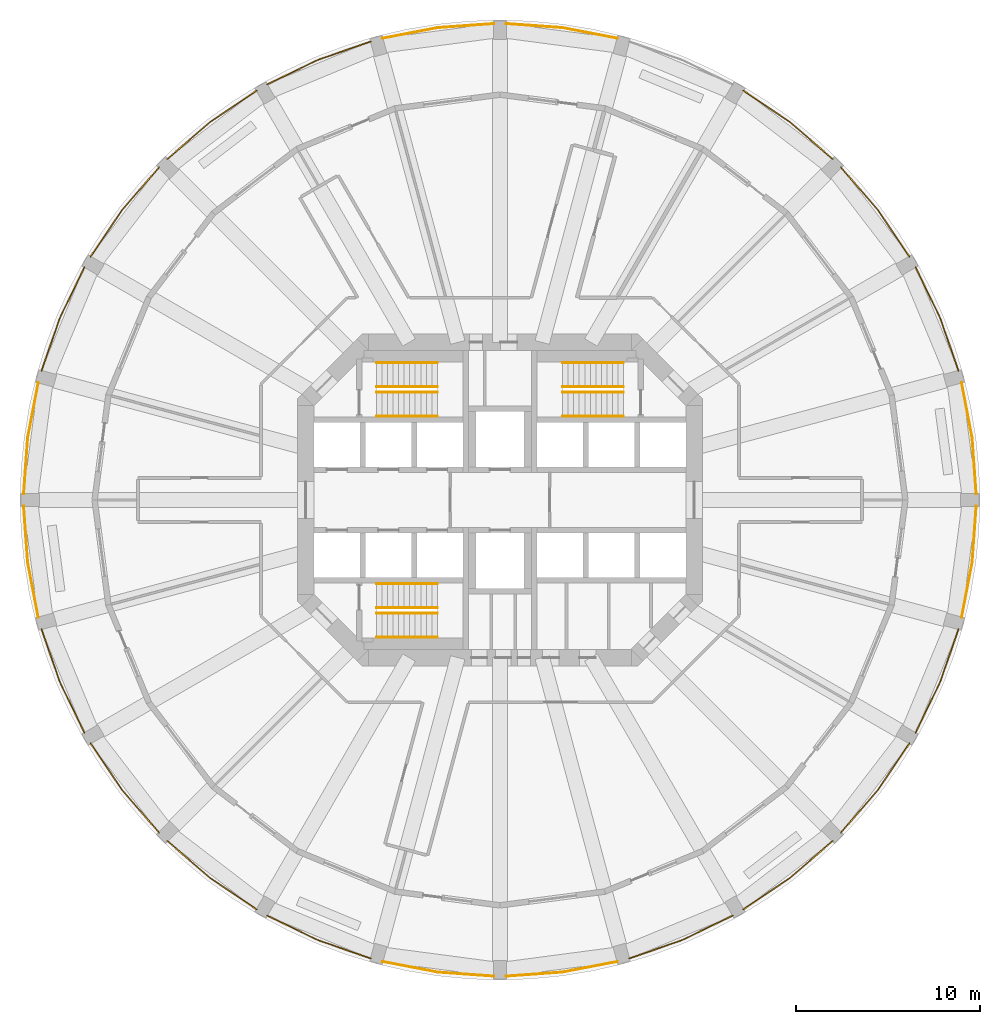
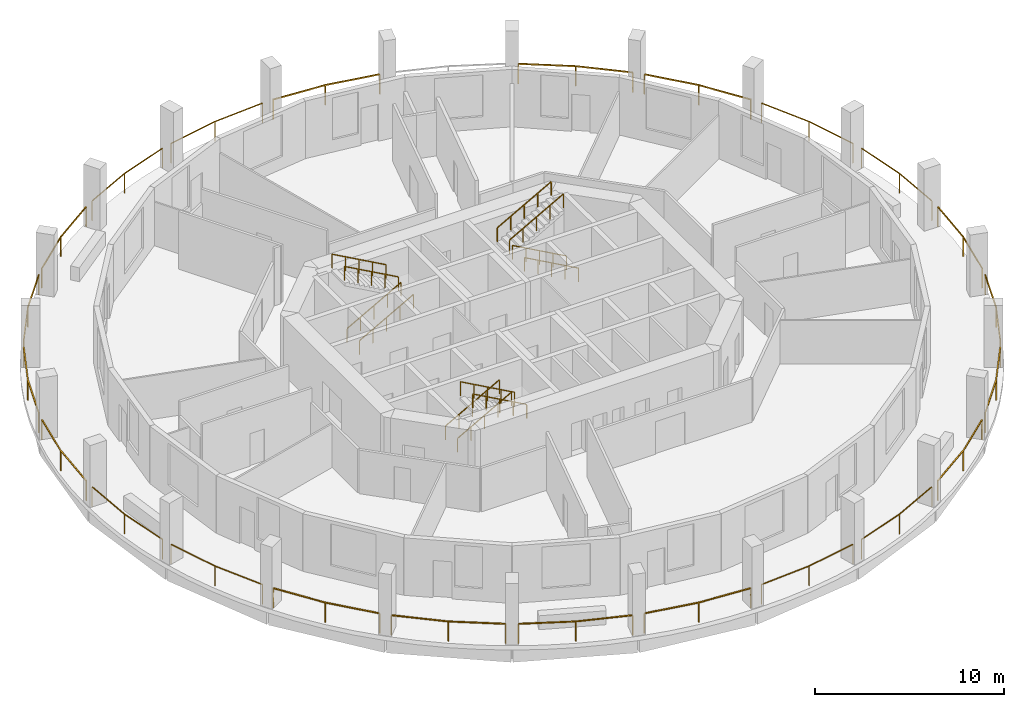
# One storey, part 8 of 9: 35 railings.
"""IFC4 building model written with IfcOpenShell, lengths in metres."""

from ifc_helpers import new_model, si_unit, direction, frame, origin, origin_2d, place, context, subcontext, project, spatial, rectangle, extrude, material, type_object, element, save


model = new_model("IFC4")

# Units and contexts
model_context = context("Model", 3, precision=1e-05, world=origin(), true_north=direction((0.0, 1.0)))
body_context = subcontext(model_context, "Body", "Model", "MODEL_VIEW")
ifc_project = project(units=[si_unit("LENGTHUNIT", "METRE"), si_unit("AREAUNIT", "SQUARE_METRE"), si_unit("VOLUMEUNIT", "CUBIC_METRE"), si_unit("PLANEANGLEUNIT", "RADIAN"), si_unit("MASSUNIT", "GRAM", prefix="KILO")], contexts=[model_context])

# Site, building, storey
site_placement = place(None, origin())
site = spatial("IfcSite", under=ifc_project, at=site_placement, CompositionType="ELEMENT")
building_placement = place(site_placement, origin())
building = spatial("IfcBuilding", under=site, at=building_placement, Name="Torre Triforio", CompositionType="ELEMENT")
storey_placement = place(building_placement, frame((0.0, 0.0, 98.60009765625)))
storey = spatial("IfcBuildingStorey", under=building, at=storey_placement, Name="L21", CompositionType="ELEMENT", Elevation=98.60009765625)

# Railings
ifc_material = material(Name="Stainless steel AISI 316", Category="steel")
railing_type_1 = type_object("IfcRailingType", Name="HANDRAIL 920", PredefinedType="HANDRAIL", material=ifc_material)
for number, where, name in (
    (1, (-6.699951171875, 4.550048828125, 0.16650390625), "Handrail ST1"),
    (2, (-6.699951171875, 5.85009765625, 0.16650390625), "Handrail ST1"),
):
    element("IfcRailing", number, at=place(storey_placement, frame(where)), inside=storey, type_object=railing_type_1, Name=name, PredefinedType="HANDRAIL", context=body_context, shape_type="SweptSolid", body=[
        extrude(rectangle(XDim=0.048095703125, YDim=0.048095703125, at=origin_2d()), frame((0.0, 0.0, 0.89599609375), z_axis=(0.874142023373, 0.0, 0.48567038511), x_axis=(0.0, 1.0, 0.0)), (0.0, 0.0, 1.0), 3.775146484375),
        extrude(rectangle(XDim=0.0419921875, YDim=0.0419921875, at=origin_2d()), origin(), (0.0, 0.0, 1.0), 0.871826171875),
        extrude(rectangle(XDim=0.0419921875, YDim=0.0419921875, at=origin_2d()), frame((0.824951171875, 0.0, 0.45849609375)), (0.0, 0.0, 1.0), 0.871826171875),
        extrude(rectangle(XDim=0.0419921875, YDim=0.0419921875, at=origin_2d()), frame((1.64990234375, 0.0, 0.916748046875)), (0.0, 0.0, 1.0), 0.871826171875),
        extrude(rectangle(XDim=0.0419921875, YDim=0.0419921875, at=origin_2d()), frame((2.47509765625, 0.0, 1.375)), (0.0, 0.0, 1.0), 0.871826171875),
        extrude(rectangle(XDim=0.0419921875, YDim=0.0419921875, at=origin_2d()), frame((3.300048828125, 0.0, 1.83349609375)), (0.0, 0.0, 1.0), 0.871826171875),
    ])
for number, where, name in (
    (3, (-3.39990234375, 7.449951171875, 2.16650390625), "Handrail ST1"),
    (4, (-3.39990234375, 6.14990234375, 2.16650390625), "Handrail ST1"),
    (5, (6.699951171875, 4.550048828125, 0.16650390625), "Handrail ST2"),
    (6, (6.699951171875, 5.85009765625, 0.16650390625), "Handrail ST2"),
):
    element("IfcRailing", number, at=place(storey_placement, frame(where)), inside=storey, type_object=railing_type_1, Name=name, PredefinedType="HANDRAIL", context=body_context, shape_type="SweptSolid", body=[
        extrude(rectangle(XDim=0.048095703125, YDim=0.048095703125, at=origin_2d()), frame((0.0, 0.0, 0.89599609375), z_axis=(-0.874142023373, 0.0, 0.48567038511), x_axis=(0.0, -1.0, 0.0)), (0.0, 0.0, 1.0), 3.775146484375),
        extrude(rectangle(XDim=0.0419921875, YDim=0.0419921875, at=origin_2d()), origin(), (0.0, 0.0, 1.0), 0.871826171875),
        extrude(rectangle(XDim=0.0419921875, YDim=0.0419921875, at=origin_2d()), frame((-0.824951171875, 0.0, 0.45849609375)), (0.0, 0.0, 1.0), 0.871826171875),
        extrude(rectangle(XDim=0.0419921875, YDim=0.0419921875, at=origin_2d()), frame((-1.64990234375, 0.0, 0.916748046875)), (0.0, 0.0, 1.0), 0.871826171875),
        extrude(rectangle(XDim=0.0419921875, YDim=0.0419921875, at=origin_2d()), frame((-2.47509765625, 0.0, 1.375)), (0.0, 0.0, 1.0), 0.871826171875),
        extrude(rectangle(XDim=0.0419921875, YDim=0.0419921875, at=origin_2d()), frame((-3.300048828125, 0.0, 1.83349609375)), (0.0, 0.0, 1.0), 0.871826171875),
    ])
for number, where, name in (
    (7, (3.39990234375, 7.449951171875, 2.16650390625), "Handrail ST2"),
    (8, (3.39990234375, 6.14990234375, 2.16650390625), "Handrail ST2"),
    (9, (-6.699951171875, -4.550048828125, 0.16650390625), "Handrail ST3"),
    (10, (-6.699951171875, -5.85009765625, 0.16650390625), "Handrail ST3"),
):
    element("IfcRailing", number, at=place(storey_placement, frame(where)), inside=storey, type_object=railing_type_1, Name=name, PredefinedType="HANDRAIL", context=body_context, shape_type="SweptSolid", body=[
        extrude(rectangle(XDim=0.048095703125, YDim=0.048095703125, at=origin_2d()), frame((0.0, 0.0, 0.89599609375), z_axis=(0.874142023373, 0.0, 0.48567038511), x_axis=(0.0, 1.0, 0.0)), (0.0, 0.0, 1.0), 3.775146484375),
        extrude(rectangle(XDim=0.0419921875, YDim=0.0419921875, at=origin_2d()), origin(), (0.0, 0.0, 1.0), 0.871826171875),
        extrude(rectangle(XDim=0.0419921875, YDim=0.0419921875, at=origin_2d()), frame((0.824951171875, 0.0, 0.45849609375)), (0.0, 0.0, 1.0), 0.871826171875),
        extrude(rectangle(XDim=0.0419921875, YDim=0.0419921875, at=origin_2d()), frame((1.64990234375, 0.0, 0.916748046875)), (0.0, 0.0, 1.0), 0.871826171875),
        extrude(rectangle(XDim=0.0419921875, YDim=0.0419921875, at=origin_2d()), frame((2.47509765625, 0.0, 1.375)), (0.0, 0.0, 1.0), 0.871826171875),
        extrude(rectangle(XDim=0.0419921875, YDim=0.0419921875, at=origin_2d()), frame((3.300048828125, 0.0, 1.83349609375)), (0.0, 0.0, 1.0), 0.871826171875),
    ])
for number, where, name in (
    (11, (-3.39990234375, -7.449951171875, 2.16650390625), "Handrail ST3"),
    (12, (-3.39990234375, -6.14990234375, 2.16650390625), "Handrail ST3"),
):
    element("IfcRailing", number, at=place(storey_placement, frame(where)), inside=storey, type_object=railing_type_1, Name=name, PredefinedType="HANDRAIL", context=body_context, shape_type="SweptSolid", body=[
        extrude(rectangle(XDim=0.048095703125, YDim=0.048095703125, at=origin_2d()), frame((0.0, 0.0, 0.89599609375), z_axis=(-0.874142023373, 0.0, 0.48567038511), x_axis=(0.0, -1.0, 0.0)), (0.0, 0.0, 1.0), 3.775146484375),
        extrude(rectangle(XDim=0.0419921875, YDim=0.0419921875, at=origin_2d()), origin(), (0.0, 0.0, 1.0), 0.871826171875),
        extrude(rectangle(XDim=0.0419921875, YDim=0.0419921875, at=origin_2d()), frame((-0.824951171875, 0.0, 0.45849609375)), (0.0, 0.0, 1.0), 0.871826171875),
        extrude(rectangle(XDim=0.0419921875, YDim=0.0419921875, at=origin_2d()), frame((-1.64990234375, 0.0, 0.916748046875)), (0.0, 0.0, 1.0), 0.871826171875),
        extrude(rectangle(XDim=0.0419921875, YDim=0.0419921875, at=origin_2d()), frame((-2.47509765625, 0.0, 1.375)), (0.0, 0.0, 1.0), 0.871826171875),
        extrude(rectangle(XDim=0.0419921875, YDim=0.0419921875, at=origin_2d()), frame((-3.300048828125, 0.0, 1.83349609375)), (0.0, 0.0, 1.0), 0.871826171875),
    ])
railing_type_2 = type_object("IfcRailingType", Name="Loggia guard 1300", PredefinedType="GUARDRAIL", material=ifc_material)
railing_1_placement = place(storey_placement, frame((25.85009765625, 0.320068359375, 0.0)))
element("IfcRailing", 13, at=railing_1_placement, inside=storey, type_object=railing_type_2, Name="Loggia guard L21 bay 01", PredefinedType="GUARDRAIL", context=body_context, shape_type="SweptSolid", body=[
    extrude(rectangle(XDim=0.050048828125, YDim=0.050048828125, at=origin_2d()), frame((0.0, 0.0, 1.27490234375), z_axis=(-0.072238625319, 0.997387377608, 0.0), x_axis=(-0.997387377608, -0.072238625319, 0.0)), (0.0, 0.0, 1.0), 3.06201171875),
    extrude(rectangle(XDim=0.050048828125, YDim=0.050048828125, at=origin_2d()), frame((-0.22119140625, 3.053955078125, 1.27490234375), z_axis=(-0.188397892972, 0.982092782747, 0.0), x_axis=(-0.982092782747, -0.188397892972, 0.0)), (0.0, 0.0, 1.0), 3.062255859375),
    extrude(rectangle(XDim=0.0400390625, YDim=0.0400390625, at=origin_2d()), origin(), (0.0, 0.0, 1.0), 1.25),
    extrude(rectangle(XDim=0.0400390625, YDim=0.0400390625, at=origin_2d()), frame((-0.22119140625, 3.053955078125, 0.0)), (0.0, 0.0, 1.0), 1.25),
    extrude(rectangle(XDim=0.0400390625, YDim=0.0400390625, at=origin_2d()), frame((-0.798095703125, 6.061279296875, 0.0)), (0.0, 0.0, 1.0), 1.25),
])
railing_2_placement = place(storey_placement, frame((24.886474609375, 6.99951171875, 0.0)))
element("IfcRailing", 14, at=railing_2_placement, inside=storey, type_object=railing_type_2, Name="Loggia guard L21 bay 02", PredefinedType="GUARDRAIL", context=body_context, shape_type="SweptSolid", body=[
    extrude(rectangle(XDim=0.050048828125, YDim=0.050048828125, at=origin_2d()), frame((0.0, 0.0, 1.27490234375), z_axis=(-0.327923737665, 0.944704198295, 0.0), x_axis=(-0.944704198295, -0.327923737665, 0.0)), (0.0, 0.0, 1.0), 3.062255859375),
    extrude(rectangle(XDim=0.050048828125, YDim=0.050048828125, at=origin_2d()), frame((-1.004150390625, 2.892822265625, 1.27490234375), z_axis=(-0.436113094806, 0.899891864914, 0.0), x_axis=(-0.899891864914, -0.436113094806, 0.0)), (0.0, 0.0, 1.0), 3.062255859375),
    extrude(rectangle(XDim=0.0400390625, YDim=0.0400390625, at=origin_2d()), origin(), (0.0, 0.0, 1.0), 1.25),
    extrude(rectangle(XDim=0.0400390625, YDim=0.0400390625, at=origin_2d()), frame((-1.004150390625, 2.892822265625, 0.0)), (0.0, 0.0, 1.0), 1.25),
    extrude(rectangle(XDim=0.0400390625, YDim=0.0400390625, at=origin_2d()), frame((-2.339599609375, 5.6484375, 0.0)), (0.0, 0.0, 1.0), 1.25),
])
railing_3_placement = place(storey_placement, frame((22.226806640625, 13.2021484375, 0.0)))
element("IfcRailing", 15, at=railing_3_placement, inside=storey, type_object=railing_type_2, Name="Loggia guard L21 bay 03", PredefinedType="GUARDRAIL", context=body_context, shape_type="SweptSolid", body=[
    extrude(rectangle(XDim=0.050048828125, YDim=0.050048828125, at=origin_2d()), frame((0.0, 0.0, 1.27490234375), z_axis=(-0.561214776852, 0.827670208624, 0.0), x_axis=(-0.827670208624, -0.561214776852, 0.0)), (0.0, 0.0, 1.0), 3.06201171875),
    extrude(rectangle(XDim=0.050048828125, YDim=0.050048828125, at=origin_2d()), frame((-1.718505859375, 2.534423828125, 1.27490234375), z_axis=(-0.654238218872, 0.75628853817, 0.0), x_axis=(-0.75628853817, -0.654238218872, 0.0)), (0.0, 0.0, 1.0), 3.062255859375),
    extrude(rectangle(XDim=0.0400390625, YDim=0.0400390625, at=origin_2d()), origin(), (0.0, 0.0, 1.0), 1.25),
    extrude(rectangle(XDim=0.0400390625, YDim=0.0400390625, at=origin_2d()), frame((-1.718505859375, 2.534423828125, 0.0)), (0.0, 0.0, 1.0), 1.25),
    extrude(rectangle(XDim=0.0400390625, YDim=0.0400390625, at=origin_2d()), frame((-3.721923828125, 4.850341796875, 0.0)), (0.0, 0.0, 1.0), 1.25),
])
railing_4_placement = place(storey_placement, frame((18.052490234375, 18.5048828125, 0.0)))
element("IfcRailing", 16, at=railing_4_placement, inside=storey, type_object=railing_type_2, Name="Loggia guard L21 bay 04", PredefinedType="GUARDRAIL", context=body_context, shape_type="SweptSolid", body=[
    extrude(rectangle(XDim=0.050048828125, YDim=0.050048828125, at=origin_2d()), frame((0.0, 0.0, 1.27490234375), z_axis=(-0.75628853817, 0.654238218872, 0.0), x_axis=(-0.654238218872, -0.75628853817, 0.0)), (0.0, 0.0, 1.0), 3.062255859375),
    extrude(rectangle(XDim=0.050048828125, YDim=0.050048828125, at=origin_2d()), frame((-2.31591796875, 2.00341796875, 1.27490234375), z_axis=(-0.827670208624, 0.561214776852, 0.0), x_axis=(-0.561214776852, -0.827670208624, 0.0)), (0.0, 0.0, 1.0), 3.06201171875),
    extrude(rectangle(XDim=0.0400390625, YDim=0.0400390625, at=origin_2d()), origin(), (0.0, 0.0, 1.0), 1.25),
    extrude(rectangle(XDim=0.0400390625, YDim=0.0400390625, at=origin_2d()), frame((-2.31591796875, 2.00341796875, 0.0)), (0.0, 0.0, 1.0), 1.25),
    extrude(rectangle(XDim=0.0400390625, YDim=0.0400390625, at=origin_2d()), frame((-4.850341796875, 3.721923828125, 0.0)), (0.0, 0.0, 1.0), 1.25),
])
railing_5_placement = place(storey_placement, frame((6.38134765625, 25.052001953125, 0.0)))
element("IfcRailing", 17, at=railing_5_placement, inside=storey, type_object=railing_type_2, Name="Loggia guard L21 bay 06", PredefinedType="GUARDRAIL", context=body_context, shape_type="SweptSolid", body=[
    extrude(rectangle(XDim=0.050048828125, YDim=0.050048828125, at=origin_2d()), frame((0.0, 0.0, 1.27490234375), z_axis=(-0.982092782747, 0.188397892972, 0.0), x_axis=(-0.188397892972, -0.982092782747, 0.0)), (0.0, 0.0, 1.0), 3.062255859375),
    extrude(rectangle(XDim=0.050048828125, YDim=0.050048828125, at=origin_2d()), frame((-3.00732421875, 0.576904296875, 1.27490234375), z_axis=(-0.997387377608, 0.072238625319, 0.0), x_axis=(-0.072238625319, -0.997387377608, 0.0)), (0.0, 0.0, 1.0), 3.06201171875),
    extrude(rectangle(XDim=0.0400390625, YDim=0.0400390625, at=origin_2d()), origin(), (0.0, 0.0, 1.0), 1.25),
    extrude(rectangle(XDim=0.0400390625, YDim=0.0400390625, at=origin_2d()), frame((-3.00732421875, 0.576904296875, 0.0)), (0.0, 0.0, 1.0), 1.25),
    extrude(rectangle(XDim=0.0400390625, YDim=0.0400390625, at=origin_2d()), frame((-6.061279296875, 0.798095703125, 0.0)), (0.0, 0.0, 1.0), 1.25),
])
railing_6_placement = place(storey_placement, frame((-0.320068359375, 25.85009765625, 0.0)))
element("IfcRailing", 18, at=railing_6_placement, inside=storey, type_object=railing_type_2, Name="Loggia guard L21 bay 07", PredefinedType="GUARDRAIL", context=body_context, shape_type="SweptSolid", body=[
    extrude(rectangle(XDim=0.050048828125, YDim=0.050048828125, at=origin_2d()), frame((0.0, 0.0, 1.27490234375), z_axis=(-0.997387377608, -0.072238625319, 0.0), x_axis=(0.072238625319, -0.997387377608, 0.0)), (0.0, 0.0, 1.0), 3.06201171875),
    extrude(rectangle(XDim=0.050048828125, YDim=0.050048828125, at=origin_2d()), frame((-3.053955078125, -0.22119140625, 1.27490234375), z_axis=(-0.982092782747, -0.188397892972, 0.0), x_axis=(0.188397892972, -0.982092782747, 0.0)), (0.0, 0.0, 1.0), 3.062255859375),
    extrude(rectangle(XDim=0.0400390625, YDim=0.0400390625, at=origin_2d()), origin(), (0.0, 0.0, 1.0), 1.25),
    extrude(rectangle(XDim=0.0400390625, YDim=0.0400390625, at=origin_2d()), frame((-3.053955078125, -0.22119140625, 0.0)), (0.0, 0.0, 1.0), 1.25),
    extrude(rectangle(XDim=0.0400390625, YDim=0.0400390625, at=origin_2d()), frame((-6.061279296875, -0.798095703125, 0.0)), (0.0, 0.0, 1.0), 1.25),
])
railing_7_placement = place(storey_placement, frame((-6.99951171875, 24.886474609375, 0.0)))
element("IfcRailing", 19, at=railing_7_placement, inside=storey, type_object=railing_type_2, Name="Loggia guard L21 bay 08", PredefinedType="GUARDRAIL", context=body_context, shape_type="SweptSolid", body=[
    extrude(rectangle(XDim=0.050048828125, YDim=0.050048828125, at=origin_2d()), frame((0.0, 0.0, 1.27490234375), z_axis=(-0.944704198295, -0.327923737665, 0.0), x_axis=(0.327923737665, -0.944704198295, 0.0)), (0.0, 0.0, 1.0), 3.062255859375),
    extrude(rectangle(XDim=0.050048828125, YDim=0.050048828125, at=origin_2d()), frame((-2.892822265625, -1.004150390625, 1.27490234375), z_axis=(-0.899891864914, -0.436113094806, 0.0), x_axis=(0.436113094806, -0.899891864914, 0.0)), (0.0, 0.0, 1.0), 3.062255859375),
    extrude(rectangle(XDim=0.0400390625, YDim=0.0400390625, at=origin_2d()), origin(), (0.0, 0.0, 1.0), 1.25),
    extrude(rectangle(XDim=0.0400390625, YDim=0.0400390625, at=origin_2d()), frame((-2.892822265625, -1.004150390625, 0.0)), (0.0, 0.0, 1.0), 1.25),
    extrude(rectangle(XDim=0.0400390625, YDim=0.0400390625, at=origin_2d()), frame((-5.6484375, -2.339599609375, 0.0)), (0.0, 0.0, 1.0), 1.25),
])
railing_8_placement = place(storey_placement, frame((-13.2021484375, 22.226806640625, 0.0)))
element("IfcRailing", 20, at=railing_8_placement, inside=storey, type_object=railing_type_2, Name="Loggia guard L21 bay 09", PredefinedType="GUARDRAIL", context=body_context, shape_type="SweptSolid", body=[
    extrude(rectangle(XDim=0.050048828125, YDim=0.050048828125, at=origin_2d()), frame((0.0, 0.0, 1.27490234375), z_axis=(-0.827670208624, -0.561214776852, 0.0), x_axis=(0.561214776852, -0.827670208624, 0.0)), (0.0, 0.0, 1.0), 3.06201171875),
    extrude(rectangle(XDim=0.050048828125, YDim=0.050048828125, at=origin_2d()), frame((-2.534423828125, -1.718505859375, 1.27490234375), z_axis=(-0.75628853817, -0.654238218872, 0.0), x_axis=(0.654238218872, -0.75628853817, 0.0)), (0.0, 0.0, 1.0), 3.062255859375),
    extrude(rectangle(XDim=0.0400390625, YDim=0.0400390625, at=origin_2d()), origin(), (0.0, 0.0, 1.0), 1.25),
    extrude(rectangle(XDim=0.0400390625, YDim=0.0400390625, at=origin_2d()), frame((-2.534423828125, -1.718505859375, 0.0)), (0.0, 0.0, 1.0), 1.25),
    extrude(rectangle(XDim=0.0400390625, YDim=0.0400390625, at=origin_2d()), frame((-4.850341796875, -3.721923828125, 0.0)), (0.0, 0.0, 1.0), 1.25),
])
railing_9_placement = place(storey_placement, frame((-18.5048828125, 18.052490234375, 0.0)))
element("IfcRailing", 21, at=railing_9_placement, inside=storey, type_object=railing_type_2, Name="Loggia guard L21 bay 10", PredefinedType="GUARDRAIL", context=body_context, shape_type="SweptSolid", body=[
    extrude(rectangle(XDim=0.050048828125, YDim=0.050048828125, at=origin_2d()), frame((0.0, 0.0, 1.27490234375), z_axis=(-0.654238218872, -0.75628853817, 0.0), x_axis=(0.75628853817, -0.654238218872, 0.0)), (0.0, 0.0, 1.0), 3.062255859375),
    extrude(rectangle(XDim=0.050048828125, YDim=0.050048828125, at=origin_2d()), frame((-2.00341796875, -2.31591796875, 1.27490234375), z_axis=(-0.561214776852, -0.827670208624, 0.0), x_axis=(0.827670208624, -0.561214776852, 0.0)), (0.0, 0.0, 1.0), 3.06201171875),
    extrude(rectangle(XDim=0.0400390625, YDim=0.0400390625, at=origin_2d()), origin(), (0.0, 0.0, 1.0), 1.25),
    extrude(rectangle(XDim=0.0400390625, YDim=0.0400390625, at=origin_2d()), frame((-2.00341796875, -2.31591796875, 0.0)), (0.0, 0.0, 1.0), 1.25),
    extrude(rectangle(XDim=0.0400390625, YDim=0.0400390625, at=origin_2d()), frame((-3.721923828125, -4.850341796875, 0.0)), (0.0, 0.0, 1.0), 1.25),
])
railing_10_placement = place(storey_placement, frame((-22.546875, 12.64794921875, 0.0)))
element("IfcRailing", 22, at=railing_10_placement, inside=storey, type_object=railing_type_2, Name="Loggia guard L21 bay 11", PredefinedType="GUARDRAIL", context=body_context, shape_type="SweptSolid", body=[
    extrude(rectangle(XDim=0.050048828125, YDim=0.050048828125, at=origin_2d()), frame((0.0, 0.0, 1.27490234375), z_axis=(-0.436113094806, -0.899891864914, 0.0), x_axis=(0.899891864914, -0.436113094806, 0.0)), (0.0, 0.0, 1.0), 3.062255859375),
    extrude(rectangle(XDim=0.050048828125, YDim=0.050048828125, at=origin_2d()), frame((-1.33544921875, -2.755615234375, 1.27490234375), z_axis=(-0.327923737665, -0.944704198295, 0.0), x_axis=(0.944704198295, -0.327923737665, 0.0)), (0.0, 0.0, 1.0), 3.062255859375),
    extrude(rectangle(XDim=0.0400390625, YDim=0.0400390625, at=origin_2d()), origin(), (0.0, 0.0, 1.0), 1.25),
    extrude(rectangle(XDim=0.0400390625, YDim=0.0400390625, at=origin_2d()), frame((-1.33544921875, -2.755615234375, 0.0)), (0.0, 0.0, 1.0), 1.25),
    extrude(rectangle(XDim=0.0400390625, YDim=0.0400390625, at=origin_2d()), frame((-2.339599609375, -5.6484375, 0.0)), (0.0, 0.0, 1.0), 1.25),
])
railing_11_placement = place(storey_placement, frame((-25.052001953125, 6.38134765625, 0.0)))
element("IfcRailing", 23, at=railing_11_placement, inside=storey, type_object=railing_type_2, Name="Loggia guard L21 bay 12", PredefinedType="GUARDRAIL", context=body_context, shape_type="SweptSolid", body=[
    extrude(rectangle(XDim=0.050048828125, YDim=0.050048828125, at=origin_2d()), frame((0.0, 0.0, 1.27490234375), z_axis=(-0.188397892972, -0.982092782747, 0.0), x_axis=(0.982092782747, -0.188397892972, 0.0)), (0.0, 0.0, 1.0), 3.062255859375),
    extrude(rectangle(XDim=0.050048828125, YDim=0.050048828125, at=origin_2d()), frame((-0.576904296875, -3.00732421875, 1.27490234375), z_axis=(-0.072238625319, -0.997387377608, 0.0), x_axis=(0.997387377608, -0.072238625319, 0.0)), (0.0, 0.0, 1.0), 3.06201171875),
    extrude(rectangle(XDim=0.0400390625, YDim=0.0400390625, at=origin_2d()), origin(), (0.0, 0.0, 1.0), 1.25),
    extrude(rectangle(XDim=0.0400390625, YDim=0.0400390625, at=origin_2d()), frame((-0.576904296875, -3.00732421875, 0.0)), (0.0, 0.0, 1.0), 1.25),
    extrude(rectangle(XDim=0.0400390625, YDim=0.0400390625, at=origin_2d()), frame((-0.798095703125, -6.061279296875, 0.0)), (0.0, 0.0, 1.0), 1.25),
])
railing_12_placement = place(storey_placement, frame((-25.85009765625, -0.320068359375, 0.0)))
element("IfcRailing", 24, at=railing_12_placement, inside=storey, type_object=railing_type_2, Name="Loggia guard L21 bay 13", PredefinedType="GUARDRAIL", context=body_context, shape_type="SweptSolid", body=[
    extrude(rectangle(XDim=0.050048828125, YDim=0.050048828125, at=origin_2d()), frame((0.0, 0.0, 1.27490234375), z_axis=(0.072238625319, -0.997387377608, 0.0), x_axis=(0.997387377608, 0.072238625319, 0.0)), (0.0, 0.0, 1.0), 3.06201171875),
    extrude(rectangle(XDim=0.050048828125, YDim=0.050048828125, at=origin_2d()), frame((0.22119140625, -3.053955078125, 1.27490234375), z_axis=(0.188397892972, -0.982092782747, 0.0), x_axis=(0.982092782747, 0.188397892972, 0.0)), (0.0, 0.0, 1.0), 3.062255859375),
    extrude(rectangle(XDim=0.0400390625, YDim=0.0400390625, at=origin_2d()), origin(), (0.0, 0.0, 1.0), 1.25),
    extrude(rectangle(XDim=0.0400390625, YDim=0.0400390625, at=origin_2d()), frame((0.22119140625, -3.053955078125, 0.0)), (0.0, 0.0, 1.0), 1.25),
    extrude(rectangle(XDim=0.0400390625, YDim=0.0400390625, at=origin_2d()), frame((0.798095703125, -6.061279296875, 0.0)), (0.0, 0.0, 1.0), 1.25),
])
railing_13_placement = place(storey_placement, frame((-24.886474609375, -6.99951171875, 0.0)))
element("IfcRailing", 25, at=railing_13_placement, inside=storey, type_object=railing_type_2, Name="Loggia guard L21 bay 14", PredefinedType="GUARDRAIL", context=body_context, shape_type="SweptSolid", body=[
    extrude(rectangle(XDim=0.050048828125, YDim=0.050048828125, at=origin_2d()), frame((0.0, 0.0, 1.27490234375), z_axis=(0.327923737665, -0.944704198295, 0.0), x_axis=(0.944704198295, 0.327923737665, 0.0)), (0.0, 0.0, 1.0), 3.062255859375),
    extrude(rectangle(XDim=0.050048828125, YDim=0.050048828125, at=origin_2d()), frame((1.004150390625, -2.892822265625, 1.27490234375), z_axis=(0.436113094806, -0.899891864914, 0.0), x_axis=(0.899891864914, 0.436113094806, 0.0)), (0.0, 0.0, 1.0), 3.062255859375),
    extrude(rectangle(XDim=0.0400390625, YDim=0.0400390625, at=origin_2d()), origin(), (0.0, 0.0, 1.0), 1.25),
    extrude(rectangle(XDim=0.0400390625, YDim=0.0400390625, at=origin_2d()), frame((1.004150390625, -2.892822265625, 0.0)), (0.0, 0.0, 1.0), 1.25),
    extrude(rectangle(XDim=0.0400390625, YDim=0.0400390625, at=origin_2d()), frame((2.339599609375, -5.6484375, 0.0)), (0.0, 0.0, 1.0), 1.25),
])
railing_14_placement = place(storey_placement, frame((-22.226806640625, -13.2021484375, 0.0)))
element("IfcRailing", 26, at=railing_14_placement, inside=storey, type_object=railing_type_2, Name="Loggia guard L21 bay 15", PredefinedType="GUARDRAIL", context=body_context, shape_type="SweptSolid", body=[
    extrude(rectangle(XDim=0.050048828125, YDim=0.050048828125, at=origin_2d()), frame((0.0, 0.0, 1.27490234375), z_axis=(0.561214776852, -0.827670208624, 0.0), x_axis=(0.827670208624, 0.561214776852, 0.0)), (0.0, 0.0, 1.0), 3.06201171875),
    extrude(rectangle(XDim=0.050048828125, YDim=0.050048828125, at=origin_2d()), frame((1.718505859375, -2.534423828125, 1.27490234375), z_axis=(0.654238218872, -0.75628853817, 0.0), x_axis=(0.75628853817, 0.654238218872, 0.0)), (0.0, 0.0, 1.0), 3.062255859375),
    extrude(rectangle(XDim=0.0400390625, YDim=0.0400390625, at=origin_2d()), origin(), (0.0, 0.0, 1.0), 1.25),
    extrude(rectangle(XDim=0.0400390625, YDim=0.0400390625, at=origin_2d()), frame((1.718505859375, -2.534423828125, 0.0)), (0.0, 0.0, 1.0), 1.25),
    extrude(rectangle(XDim=0.0400390625, YDim=0.0400390625, at=origin_2d()), frame((3.721923828125, -4.850341796875, 0.0)), (0.0, 0.0, 1.0), 1.25),
])
railing_15_placement = place(storey_placement, frame((-18.052490234375, -18.5048828125, 0.0)))
element("IfcRailing", 27, at=railing_15_placement, inside=storey, type_object=railing_type_2, Name="Loggia guard L21 bay 16", PredefinedType="GUARDRAIL", context=body_context, shape_type="SweptSolid", body=[
    extrude(rectangle(XDim=0.050048828125, YDim=0.050048828125, at=origin_2d()), frame((0.0, 0.0, 1.27490234375), z_axis=(0.75628853817, -0.654238218872, 0.0), x_axis=(0.654238218872, 0.75628853817, 0.0)), (0.0, 0.0, 1.0), 3.062255859375),
    extrude(rectangle(XDim=0.050048828125, YDim=0.050048828125, at=origin_2d()), frame((2.31591796875, -2.00341796875, 1.27490234375), z_axis=(0.827670208624, -0.561214776852, 0.0), x_axis=(0.561214776852, 0.827670208624, 0.0)), (0.0, 0.0, 1.0), 3.06201171875),
    extrude(rectangle(XDim=0.0400390625, YDim=0.0400390625, at=origin_2d()), origin(), (0.0, 0.0, 1.0), 1.25),
    extrude(rectangle(XDim=0.0400390625, YDim=0.0400390625, at=origin_2d()), frame((2.31591796875, -2.00341796875, 0.0)), (0.0, 0.0, 1.0), 1.25),
    extrude(rectangle(XDim=0.0400390625, YDim=0.0400390625, at=origin_2d()), frame((4.850341796875, -3.721923828125, 0.0)), (0.0, 0.0, 1.0), 1.25),
])
railing_16_placement = place(storey_placement, frame((-12.64794921875, -22.546875, 0.0)))
element("IfcRailing", 28, at=railing_16_placement, inside=storey, type_object=railing_type_2, Name="Loggia guard L21 bay 17", PredefinedType="GUARDRAIL", context=body_context, shape_type="SweptSolid", body=[
    extrude(rectangle(XDim=0.050048828125, YDim=0.050048828125, at=origin_2d()), frame((0.0, 0.0, 1.27490234375), z_axis=(0.899891864914, -0.436113094806, 0.0), x_axis=(0.436113094806, 0.899891864914, 0.0)), (0.0, 0.0, 1.0), 3.062255859375),
    extrude(rectangle(XDim=0.050048828125, YDim=0.050048828125, at=origin_2d()), frame((2.755615234375, -1.33544921875, 1.27490234375), z_axis=(0.944704198295, -0.327923737665, 0.0), x_axis=(0.327923737665, 0.944704198295, 0.0)), (0.0, 0.0, 1.0), 3.062255859375),
    extrude(rectangle(XDim=0.0400390625, YDim=0.0400390625, at=origin_2d()), origin(), (0.0, 0.0, 1.0), 1.25),
    extrude(rectangle(XDim=0.0400390625, YDim=0.0400390625, at=origin_2d()), frame((2.755615234375, -1.33544921875, 0.0)), (0.0, 0.0, 1.0), 1.25),
    extrude(rectangle(XDim=0.0400390625, YDim=0.0400390625, at=origin_2d()), frame((5.6484375, -2.339599609375, 0.0)), (0.0, 0.0, 1.0), 1.25),
])
railing_17_placement = place(storey_placement, frame((-6.38134765625, -25.052001953125, 0.0)))
element("IfcRailing", 29, at=railing_17_placement, inside=storey, type_object=railing_type_2, Name="Loggia guard L21 bay 18", PredefinedType="GUARDRAIL", context=body_context, shape_type="SweptSolid", body=[
    extrude(rectangle(XDim=0.050048828125, YDim=0.050048828125, at=origin_2d()), frame((0.0, 0.0, 1.27490234375), z_axis=(0.982092782747, -0.188397892972, 0.0), x_axis=(0.188397892972, 0.982092782747, 0.0)), (0.0, 0.0, 1.0), 3.062255859375),
    extrude(rectangle(XDim=0.050048828125, YDim=0.050048828125, at=origin_2d()), frame((3.00732421875, -0.576904296875, 1.27490234375), z_axis=(0.997387377608, -0.072238625319, 0.0), x_axis=(0.072238625319, 0.997387377608, 0.0)), (0.0, 0.0, 1.0), 3.06201171875),
    extrude(rectangle(XDim=0.0400390625, YDim=0.0400390625, at=origin_2d()), origin(), (0.0, 0.0, 1.0), 1.25),
    extrude(rectangle(XDim=0.0400390625, YDim=0.0400390625, at=origin_2d()), frame((3.00732421875, -0.576904296875, 0.0)), (0.0, 0.0, 1.0), 1.25),
    extrude(rectangle(XDim=0.0400390625, YDim=0.0400390625, at=origin_2d()), frame((6.061279296875, -0.798095703125, 0.0)), (0.0, 0.0, 1.0), 1.25),
])
railing_18_placement = place(storey_placement, frame((0.320068359375, -25.85009765625, 0.0)))
element("IfcRailing", 30, at=railing_18_placement, inside=storey, type_object=railing_type_2, Name="Loggia guard L21 bay 19", PredefinedType="GUARDRAIL", context=body_context, shape_type="SweptSolid", body=[
    extrude(rectangle(XDim=0.050048828125, YDim=0.050048828125, at=origin_2d()), frame((0.0, 0.0, 1.27490234375), z_axis=(0.997387377608, 0.072238625319, 0.0), x_axis=(-0.072238625319, 0.997387377608, 0.0)), (0.0, 0.0, 1.0), 3.06201171875),
    extrude(rectangle(XDim=0.050048828125, YDim=0.050048828125, at=origin_2d()), frame((3.053955078125, 0.22119140625, 1.27490234375), z_axis=(0.982092782747, 0.188397892972, 0.0), x_axis=(-0.188397892972, 0.982092782747, 0.0)), (0.0, 0.0, 1.0), 3.062255859375),
    extrude(rectangle(XDim=0.0400390625, YDim=0.0400390625, at=origin_2d()), origin(), (0.0, 0.0, 1.0), 1.25),
    extrude(rectangle(XDim=0.0400390625, YDim=0.0400390625, at=origin_2d()), frame((3.053955078125, 0.22119140625, 0.0)), (0.0, 0.0, 1.0), 1.25),
    extrude(rectangle(XDim=0.0400390625, YDim=0.0400390625, at=origin_2d()), frame((6.061279296875, 0.798095703125, 0.0)), (0.0, 0.0, 1.0), 1.25),
])
railing_19_placement = place(storey_placement, frame((6.99951171875, -24.886474609375, 0.0)))
element("IfcRailing", 31, at=railing_19_placement, inside=storey, type_object=railing_type_2, Name="Loggia guard L21 bay 20", PredefinedType="GUARDRAIL", context=body_context, shape_type="SweptSolid", body=[
    extrude(rectangle(XDim=0.050048828125, YDim=0.050048828125, at=origin_2d()), frame((0.0, 0.0, 1.27490234375), z_axis=(0.944704198295, 0.327923737665, 0.0), x_axis=(-0.327923737665, 0.944704198295, 0.0)), (0.0, 0.0, 1.0), 3.062255859375),
    extrude(rectangle(XDim=0.050048828125, YDim=0.050048828125, at=origin_2d()), frame((2.892822265625, 1.004150390625, 1.27490234375), z_axis=(0.899891864914, 0.436113094806, 0.0), x_axis=(-0.436113094806, 0.899891864914, 0.0)), (0.0, 0.0, 1.0), 3.062255859375),
    extrude(rectangle(XDim=0.0400390625, YDim=0.0400390625, at=origin_2d()), origin(), (0.0, 0.0, 1.0), 1.25),
    extrude(rectangle(XDim=0.0400390625, YDim=0.0400390625, at=origin_2d()), frame((2.892822265625, 1.004150390625, 0.0)), (0.0, 0.0, 1.0), 1.25),
    extrude(rectangle(XDim=0.0400390625, YDim=0.0400390625, at=origin_2d()), frame((5.6484375, 2.339599609375, 0.0)), (0.0, 0.0, 1.0), 1.25),
])
railing_20_placement = place(storey_placement, frame((13.2021484375, -22.226806640625, 0.0)))
element("IfcRailing", 32, at=railing_20_placement, inside=storey, type_object=railing_type_2, Name="Loggia guard L21 bay 21", PredefinedType="GUARDRAIL", context=body_context, shape_type="SweptSolid", body=[
    extrude(rectangle(XDim=0.050048828125, YDim=0.050048828125, at=origin_2d()), frame((0.0, 0.0, 1.27490234375), z_axis=(0.827670208624, 0.561214776852, 0.0), x_axis=(-0.561214776852, 0.827670208624, 0.0)), (0.0, 0.0, 1.0), 3.06201171875),
    extrude(rectangle(XDim=0.050048828125, YDim=0.050048828125, at=origin_2d()), frame((2.534423828125, 1.718505859375, 1.27490234375), z_axis=(0.75628853817, 0.654238218872, 0.0), x_axis=(-0.654238218872, 0.75628853817, 0.0)), (0.0, 0.0, 1.0), 3.062255859375),
    extrude(rectangle(XDim=0.0400390625, YDim=0.0400390625, at=origin_2d()), origin(), (0.0, 0.0, 1.0), 1.25),
    extrude(rectangle(XDim=0.0400390625, YDim=0.0400390625, at=origin_2d()), frame((2.534423828125, 1.718505859375, 0.0)), (0.0, 0.0, 1.0), 1.25),
    extrude(rectangle(XDim=0.0400390625, YDim=0.0400390625, at=origin_2d()), frame((4.850341796875, 3.721923828125, 0.0)), (0.0, 0.0, 1.0), 1.25),
])
railing_21_placement = place(storey_placement, frame((18.5048828125, -18.052490234375, 0.0)))
element("IfcRailing", 33, at=railing_21_placement, inside=storey, type_object=railing_type_2, Name="Loggia guard L21 bay 22", PredefinedType="GUARDRAIL", context=body_context, shape_type="SweptSolid", body=[
    extrude(rectangle(XDim=0.050048828125, YDim=0.050048828125, at=origin_2d()), frame((0.0, 0.0, 1.27490234375), z_axis=(0.654238218872, 0.75628853817, 0.0), x_axis=(-0.75628853817, 0.654238218872, 0.0)), (0.0, 0.0, 1.0), 3.062255859375),
    extrude(rectangle(XDim=0.050048828125, YDim=0.050048828125, at=origin_2d()), frame((2.00341796875, 2.31591796875, 1.27490234375), z_axis=(0.561214776852, 0.827670208624, 0.0), x_axis=(-0.827670208624, 0.561214776852, 0.0)), (0.0, 0.0, 1.0), 3.06201171875),
    extrude(rectangle(XDim=0.0400390625, YDim=0.0400390625, at=origin_2d()), origin(), (0.0, 0.0, 1.0), 1.25),
    extrude(rectangle(XDim=0.0400390625, YDim=0.0400390625, at=origin_2d()), frame((2.00341796875, 2.31591796875, 0.0)), (0.0, 0.0, 1.0), 1.25),
    extrude(rectangle(XDim=0.0400390625, YDim=0.0400390625, at=origin_2d()), frame((3.721923828125, 4.850341796875, 0.0)), (0.0, 0.0, 1.0), 1.25),
])
railing_22_placement = place(storey_placement, frame((22.546875, -12.64794921875, 0.0)))
element("IfcRailing", 34, at=railing_22_placement, inside=storey, type_object=railing_type_2, Name="Loggia guard L21 bay 23", PredefinedType="GUARDRAIL", context=body_context, shape_type="SweptSolid", body=[
    extrude(rectangle(XDim=0.050048828125, YDim=0.050048828125, at=origin_2d()), frame((0.0, 0.0, 1.27490234375), z_axis=(0.436113094806, 0.899891864914, 0.0), x_axis=(-0.899891864914, 0.436113094806, 0.0)), (0.0, 0.0, 1.0), 3.062255859375),
    extrude(rectangle(XDim=0.050048828125, YDim=0.050048828125, at=origin_2d()), frame((1.33544921875, 2.755615234375, 1.27490234375), z_axis=(0.327923737665, 0.944704198295, 0.0), x_axis=(-0.944704198295, 0.327923737665, 0.0)), (0.0, 0.0, 1.0), 3.062255859375),
    extrude(rectangle(XDim=0.0400390625, YDim=0.0400390625, at=origin_2d()), origin(), (0.0, 0.0, 1.0), 1.25),
    extrude(rectangle(XDim=0.0400390625, YDim=0.0400390625, at=origin_2d()), frame((1.33544921875, 2.755615234375, 0.0)), (0.0, 0.0, 1.0), 1.25),
    extrude(rectangle(XDim=0.0400390625, YDim=0.0400390625, at=origin_2d()), frame((2.339599609375, 5.6484375, 0.0)), (0.0, 0.0, 1.0), 1.25),
])
railing_23_placement = place(storey_placement, frame((25.052001953125, -6.38134765625, 0.0)))
element("IfcRailing", 35, at=railing_23_placement, inside=storey, type_object=railing_type_2, Name="Loggia guard L21 bay 24", PredefinedType="GUARDRAIL", context=body_context, shape_type="SweptSolid", body=[
    extrude(rectangle(XDim=0.050048828125, YDim=0.050048828125, at=origin_2d()), frame((0.0, 0.0, 1.27490234375), z_axis=(0.188397892972, 0.982092782747, 0.0), x_axis=(-0.982092782747, 0.188397892972, 0.0)), (0.0, 0.0, 1.0), 3.062255859375),
    extrude(rectangle(XDim=0.050048828125, YDim=0.050048828125, at=origin_2d()), frame((0.576904296875, 3.00732421875, 1.27490234375), z_axis=(0.072238625319, 0.997387377608, 0.0), x_axis=(-0.997387377608, 0.072238625319, 0.0)), (0.0, 0.0, 1.0), 3.06201171875),
    extrude(rectangle(XDim=0.0400390625, YDim=0.0400390625, at=origin_2d()), origin(), (0.0, 0.0, 1.0), 1.25),
    extrude(rectangle(XDim=0.0400390625, YDim=0.0400390625, at=origin_2d()), frame((0.576904296875, 3.00732421875, 0.0)), (0.0, 0.0, 1.0), 1.25),
    extrude(rectangle(XDim=0.0400390625, YDim=0.0400390625, at=origin_2d()), frame((0.798095703125, 6.061279296875, 0.0)), (0.0, 0.0, 1.0), 1.25),
])

save(model, "model.ifc")
